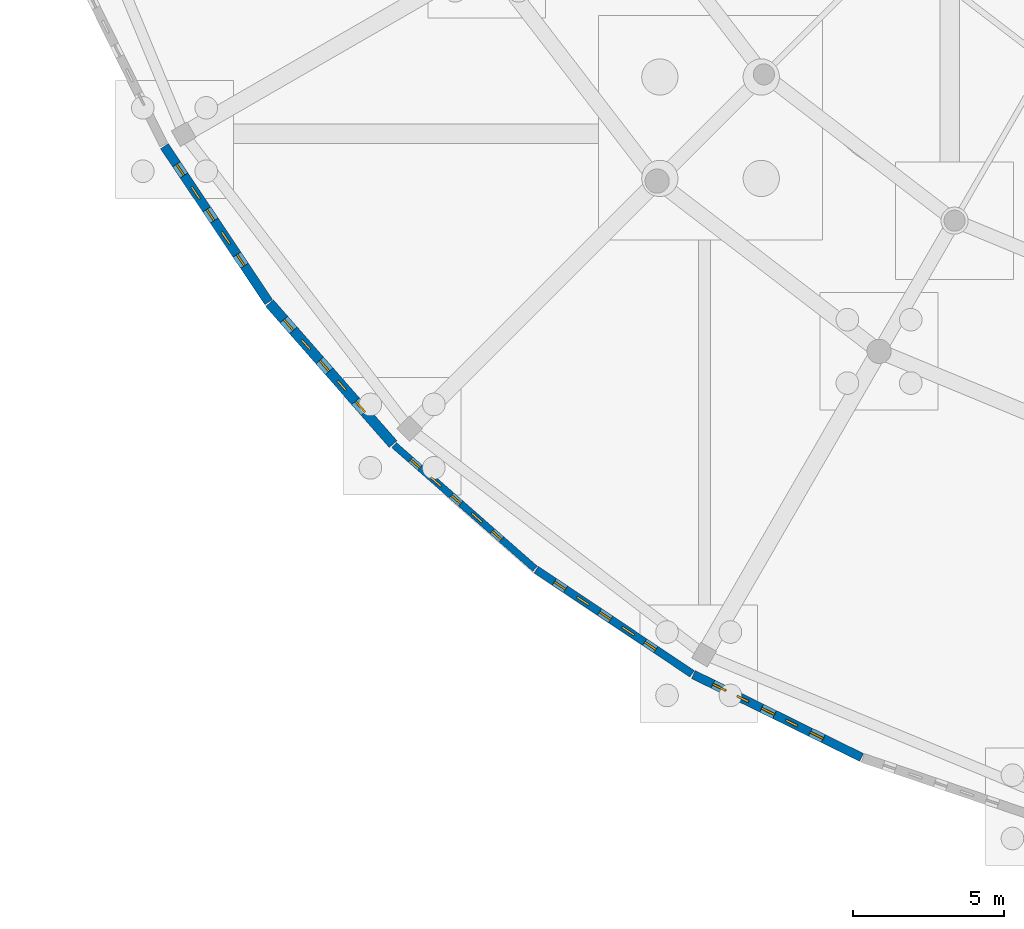
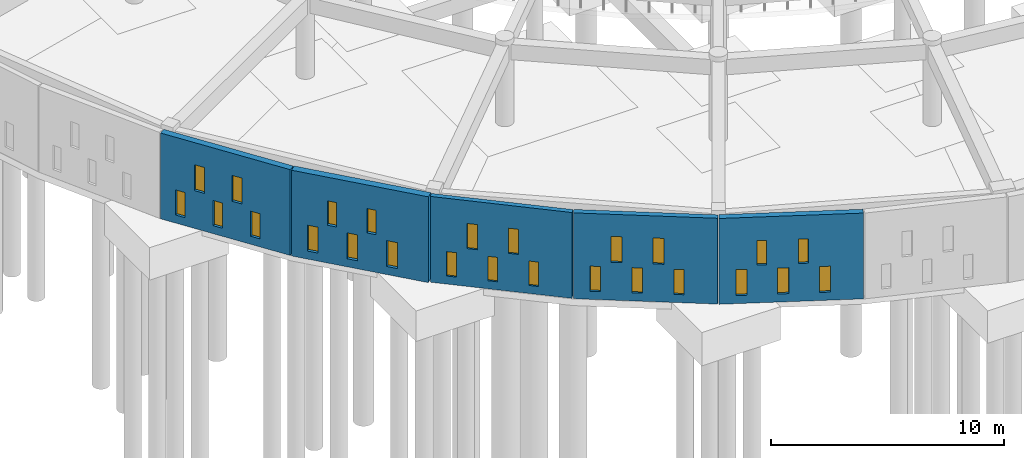
# One storey, part 41 of 84: 25 windows, 5 walls, 25 openings.
"""IFC4 building model written with IfcOpenShell, lengths in metres."""

from ifc_helpers import new_model, si_unit, direction, frame, frame_2d, origin, place, context, subcontext, project, spatial, rectangle, extrude, material, layer, layer_set, type_object, element, fill, save


model = new_model("IFC4")

# Units and contexts
model_context = context("Model", 3, precision=1e-05, world=origin(), true_north=direction((0.0, 1.0)))
body_context = subcontext(model_context, "Body", "Model", "MODEL_VIEW")
ifc_project = project(units=[si_unit("LENGTHUNIT", "METRE"), si_unit("AREAUNIT", "SQUARE_METRE"), si_unit("VOLUMEUNIT", "CUBIC_METRE"), si_unit("PLANEANGLEUNIT", "RADIAN"), si_unit("MASSUNIT", "GRAM", prefix="KILO")], contexts=[model_context])

# Site, building, storey
site_placement = place(None, origin())
site = spatial("IfcSite", under=ifc_project, at=site_placement, CompositionType="ELEMENT")
building_placement = place(site_placement, origin())
building = spatial("IfcBuilding", under=site, at=building_placement, Name="Larkveld Mobility Hub", CompositionType="ELEMENT")
storey_placement = place(building_placement, origin())
storey = spatial("IfcBuildingStorey", under=building, at=storey_placement, Name="L00", CompositionType="ELEMENT", Elevation=0.0)

# Wall, openings, windows
ifc_material_1 = material(Name="Fired clay brick 25 MPa", Category="masonry")
ifc_layer_1 = layer(ifc_material_1, 0.22998046875, Name="Fired clay brick 25 MPa", Category="masonry")
ifc_layer_set_1 = layer_set([ifc_layer_1], Name="Fired clay brick 25 MPa")
wall_type_1 = type_object("IfcWallType", Name="WL-BRK-230", PredefinedType="USERDEFINED", material=ifc_layer_set_1)
wall_1_placement = place(storey_placement, frame((14.18310546875, 14.14892578125, 0.0), z_axis=(0.0, 0.0, 1.0), x_axis=(0.751874993266, -0.65930569124, 0.0)))
wall_1 = element("IfcWall", 1, at=wall_1_placement, inside=storey, type_object=wall_type_1, Name="Drum Woven Open-Bond Brick Chord L00-0029", ObjectType="PERFORATED BRICK SCREEN", PredefinedType="USERDEFINED", context=body_context, shape_type="SweptSolid", body=[
    extrude(rectangle(XDim=6.2109375, YDim=0.22998046875, at=frame_2d((3.10546875, 0.0))), origin(), (0.0, 0.0, 1.0), 4.5),
])
opening_1_placement = place(wall_1_placement, frame((0.719970703125, 0.0, 0.419921875)))
opening_1 = element("IfcOpeningElement", 2, at=opening_1_placement, cuts=wall_1, Name="Opening W01", PredefinedType="OPENING", context=body_context, shape_type="SweptSolid", body=[
    extrude(rectangle(XDim=0.419921875, YDim=1.280029296875, at=frame_2d((0.2099609375, 0.64013671875))), frame((0.0, 0.125, 0.0), z_axis=(0.0, -1.0, 0.0), x_axis=(1.0, 0.0, 0.0)), (0.0, 0.0, 1.0), 0.25),
])
opening_2_placement = place(wall_1_placement, frame((2.52001953125, 0.0, 0.419921875)))
opening_2 = element("IfcOpeningElement", 3, at=opening_2_placement, cuts=wall_1, Name="Opening W01", PredefinedType="OPENING", context=body_context, shape_type="SweptSolid", body=[
    extrude(rectangle(XDim=0.419921875, YDim=1.280029296875, at=frame_2d((0.2099609375, 0.64013671875))), frame((0.0, 0.125, 0.0), z_axis=(0.0, -1.0, 0.0), x_axis=(1.0, 0.0, 0.0)), (0.0, 0.0, 1.0), 0.25),
])
opening_3_placement = place(wall_1_placement, frame((4.320068359375, 0.0, 0.419921875)))
opening_3 = element("IfcOpeningElement", 4, at=opening_3_placement, cuts=wall_1, Name="Opening W01", PredefinedType="OPENING", context=body_context, shape_type="SweptSolid", body=[
    extrude(rectangle(XDim=0.419921875, YDim=1.280029296875, at=frame_2d((0.2099609375, 0.64013671875))), frame((0.0, 0.125, 0.0), z_axis=(0.0, -1.0, 0.0), x_axis=(1.0, 0.0, 0.0)), (0.0, 0.0, 1.0), 0.25),
])
opening_4_placement = place(wall_1_placement, frame((1.6201171875, 0.0, 1.97998046875)))
opening_4 = element("IfcOpeningElement", 5, at=opening_4_placement, cuts=wall_1, Name="Opening W02", PredefinedType="OPENING", context=body_context, shape_type="SweptSolid", body=[
    extrude(rectangle(XDim=0.449951171875, YDim=1.320068359375, at=frame_2d((0.22509765625, 0.66015625))), frame((0.0, 0.125, 0.0), z_axis=(0.0, -1.0, 0.0), x_axis=(1.0, 0.0, 0.0)), (0.0, 0.0, 1.0), 0.25),
])
opening_5_placement = place(wall_1_placement, frame((3.419921875, 0.0, 1.97998046875)))
opening_5 = element("IfcOpeningElement", 6, at=opening_5_placement, cuts=wall_1, Name="Opening W02", PredefinedType="OPENING", context=body_context, shape_type="SweptSolid", body=[
    extrude(rectangle(XDim=0.449951171875, YDim=1.320068359375, at=frame_2d((0.22509765625, 0.66015625))), frame((0.0, 0.125, 0.0), z_axis=(0.0, -1.0, 0.0), x_axis=(1.0, 0.0, 0.0)), (0.0, 0.0, 1.0), 0.25),
])
ifc_material_2 = material(Name="Extruded aluminium ventilation grille", Category="aluminium")
window_type_1 = type_object("IfcWindowType", Name="WN-VENT-01", PartitioningType="SINGLE_PANEL", PredefinedType="WINDOW", material=ifc_material_2)
window_1_placement = place(opening_1_placement, origin())
window_1 = element("IfcWindow", 7, at=window_1_placement, inside=storey, type_object=window_type_1, Name="Window W01 (0141)", OverallHeight=1.280029296875, OverallWidth=0.419921875, PartitioningType="SINGLE_PANEL", PredefinedType="WINDOW", context=body_context, shape_type="SweptSolid", body=[
    extrude(rectangle(XDim=0.419921875, YDim=1.280029296875, at=frame_2d((0.2099609375, 0.64013671875))), frame((0.0, 0.030029296875, 0.0), z_axis=(0.0, -1.0, 0.0), x_axis=(1.0, 0.0, 0.0)), (0.0, 0.0, 1.0), 0.06005859375),
])
fill(opening_1, window_1)
window_2_placement = place(opening_2_placement, origin())
window_2 = element("IfcWindow", 8, at=window_2_placement, inside=storey, type_object=window_type_1, Name="Window W01 (0142)", OverallHeight=1.280029296875, OverallWidth=0.419921875, PartitioningType="SINGLE_PANEL", PredefinedType="WINDOW", context=body_context, shape_type="SweptSolid", body=[
    extrude(rectangle(XDim=0.419921875, YDim=1.280029296875, at=frame_2d((0.2099609375, 0.64013671875))), frame((0.0, 0.030029296875, 0.0), z_axis=(0.0, -1.0, 0.0), x_axis=(1.0, 0.0, 0.0)), (0.0, 0.0, 1.0), 0.06005859375),
])
fill(opening_2, window_2)
window_3_placement = place(opening_3_placement, origin())
window_3 = element("IfcWindow", 9, at=window_3_placement, inside=storey, type_object=window_type_1, Name="Window W01 (0143)", OverallHeight=1.280029296875, OverallWidth=0.419921875, PartitioningType="SINGLE_PANEL", PredefinedType="WINDOW", context=body_context, shape_type="SweptSolid", body=[
    extrude(rectangle(XDim=0.419921875, YDim=1.280029296875, at=frame_2d((0.2099609375, 0.64013671875))), frame((0.0, 0.030029296875, 0.0), z_axis=(0.0, -1.0, 0.0), x_axis=(1.0, 0.0, 0.0)), (0.0, 0.0, 1.0), 0.06005859375),
])
fill(opening_3, window_3)
window_type_2 = type_object("IfcWindowType", Name="WN-VENT-02", PartitioningType="SINGLE_PANEL", PredefinedType="WINDOW", material=ifc_material_2)
window_4_placement = place(opening_4_placement, origin())
window_4 = element("IfcWindow", 10, at=window_4_placement, inside=storey, type_object=window_type_2, Name="Window W02 (0144)", OverallHeight=1.320068359375, OverallWidth=0.449951171875, PartitioningType="SINGLE_PANEL", PredefinedType="WINDOW", context=body_context, shape_type="SweptSolid", body=[
    extrude(rectangle(XDim=0.449951171875, YDim=1.320068359375, at=frame_2d((0.22509765625, 0.66015625))), frame((0.0, 0.030029296875, 0.0), z_axis=(0.0, -1.0, 0.0), x_axis=(1.0, 0.0, 0.0)), (0.0, 0.0, 1.0), 0.06005859375),
])
fill(opening_4, window_4)
window_5_placement = place(opening_5_placement, origin())
window_5 = element("IfcWindow", 11, at=window_5_placement, inside=storey, type_object=window_type_2, Name="Window W02 (0145)", OverallHeight=1.320068359375, OverallWidth=0.449951171875, PartitioningType="SINGLE_PANEL", PredefinedType="WINDOW", context=body_context, shape_type="SweptSolid", body=[
    extrude(rectangle(XDim=0.449951171875, YDim=1.320068359375, at=frame_2d((0.22509765625, 0.66015625))), frame((0.0, 0.030029296875, 0.0), z_axis=(0.0, -1.0, 0.0), x_axis=(1.0, 0.0, 0.0)), (0.0, 0.0, 1.0), 0.06005859375),
])
fill(opening_5, window_5)

ifc_layer_2 = layer(ifc_material_1, 0.260009765625, Name="Fired clay brick 25 MPa", Category="masonry")
ifc_layer_set_2 = layer_set([ifc_layer_2], Name="Fired clay brick 25 MPa")
wall_type_2 = type_object("IfcWallType", Name="WL-BRK-260", PredefinedType="USERDEFINED", material=ifc_layer_set_2)
wall_2_placement = place(storey_placement, frame((18.89111328125, 10.02490234375, 0.0), z_axis=(0.0, 0.0, 1.0), x_axis=(0.831426871608, -0.555634193664, 0.0)))
wall_2 = element("IfcWall", 12, at=wall_2_placement, inside=storey, type_object=wall_type_2, Name="Drum Woven Open-Bond Brick Chord L00-0030", ObjectType="PERFORATED BRICK SCREEN", PredefinedType="USERDEFINED", context=body_context, shape_type="SweptSolid", body=[
    extrude(rectangle(XDim=6.210693359375, YDim=0.260009765625, at=frame_2d((3.10546875, 0.0))), origin(), (0.0, 0.0, 1.0), 4.5),
])
opening_6_placement = place(wall_2_placement, frame((0.719970703125, 0.0, 0.419921875)))
opening_6 = element("IfcOpeningElement", 13, at=opening_6_placement, cuts=wall_2, Name="Opening W02", PredefinedType="OPENING", context=body_context, shape_type="SweptSolid", body=[
    extrude(rectangle(XDim=0.449951171875, YDim=1.320068359375, at=frame_2d((0.22509765625, 0.66015625))), frame((0.0, 0.14013671875, 0.0), z_axis=(0.0, -1.0, 0.0), x_axis=(1.0, 0.0, 0.0)), (0.0, 0.0, 1.0), 0.280029296875),
])
opening_7_placement = place(wall_2_placement, frame((2.52001953125, 0.0, 0.419921875)))
opening_7 = element("IfcOpeningElement", 14, at=opening_7_placement, cuts=wall_2, Name="Opening W02", PredefinedType="OPENING", context=body_context, shape_type="SweptSolid", body=[
    extrude(rectangle(XDim=0.449951171875, YDim=1.320068359375, at=frame_2d((0.22509765625, 0.66015625))), frame((0.0, 0.14013671875, 0.0), z_axis=(0.0, -1.0, 0.0), x_axis=(1.0, 0.0, 0.0)), (0.0, 0.0, 1.0), 0.280029296875),
])
opening_8_placement = place(wall_2_placement, frame((4.320068359375, 0.0, 0.419921875)))
opening_8 = element("IfcOpeningElement", 15, at=opening_8_placement, cuts=wall_2, Name="Opening W02", PredefinedType="OPENING", context=body_context, shape_type="SweptSolid", body=[
    extrude(rectangle(XDim=0.449951171875, YDim=1.320068359375, at=frame_2d((0.22509765625, 0.66015625))), frame((0.0, 0.14013671875, 0.0), z_axis=(0.0, -1.0, 0.0), x_axis=(1.0, 0.0, 0.0)), (0.0, 0.0, 1.0), 0.280029296875),
])
opening_9_placement = place(wall_2_placement, frame((1.6201171875, 0.0, 1.97998046875)))
opening_9 = element("IfcOpeningElement", 16, at=opening_9_placement, cuts=wall_2, Name="Opening W03", PredefinedType="OPENING", context=body_context, shape_type="SweptSolid", body=[
    extrude(rectangle(XDim=0.47998046875, YDim=1.360107421875, at=frame_2d((0.239990234375, 0.68017578125))), frame((0.0, 0.14013671875, 0.0), z_axis=(0.0, -1.0, 0.0), x_axis=(1.0, 0.0, 0.0)), (0.0, 0.0, 1.0), 0.280029296875),
])
opening_10_placement = place(wall_2_placement, frame((3.419921875, 0.0, 1.97998046875)))
opening_10 = element("IfcOpeningElement", 17, at=opening_10_placement, cuts=wall_2, Name="Opening W03", PredefinedType="OPENING", context=body_context, shape_type="SweptSolid", body=[
    extrude(rectangle(XDim=0.47998046875, YDim=1.360107421875, at=frame_2d((0.239990234375, 0.68017578125))), frame((0.0, 0.14013671875, 0.0), z_axis=(0.0, -1.0, 0.0), x_axis=(1.0, 0.0, 0.0)), (0.0, 0.0, 1.0), 0.280029296875),
])
window_6_placement = place(opening_6_placement, origin())
window_6 = element("IfcWindow", 18, at=window_6_placement, inside=storey, type_object=window_type_2, Name="Window W02 (0146)", OverallHeight=1.320068359375, OverallWidth=0.449951171875, PartitioningType="SINGLE_PANEL", PredefinedType="WINDOW", context=body_context, shape_type="SweptSolid", body=[
    extrude(rectangle(XDim=0.449951171875, YDim=1.320068359375, at=frame_2d((0.22509765625, 0.66015625))), frame((0.0, 0.030029296875, 0.0), z_axis=(0.0, -1.0, 0.0), x_axis=(1.0, 0.0, 0.0)), (0.0, 0.0, 1.0), 0.06005859375),
])
fill(opening_6, window_6)
window_7_placement = place(opening_7_placement, origin())
window_7 = element("IfcWindow", 19, at=window_7_placement, inside=storey, type_object=window_type_2, Name="Window W02 (0147)", OverallHeight=1.320068359375, OverallWidth=0.449951171875, PartitioningType="SINGLE_PANEL", PredefinedType="WINDOW", context=body_context, shape_type="SweptSolid", body=[
    extrude(rectangle(XDim=0.449951171875, YDim=1.320068359375, at=frame_2d((0.22509765625, 0.66015625))), frame((0.0, 0.030029296875, 0.0), z_axis=(0.0, -1.0, 0.0), x_axis=(1.0, 0.0, 0.0)), (0.0, 0.0, 1.0), 0.06005859375),
])
fill(opening_7, window_7)
window_8_placement = place(opening_8_placement, origin())
window_8 = element("IfcWindow", 20, at=window_8_placement, inside=storey, type_object=window_type_2, Name="Window W02 (0148)", OverallHeight=1.320068359375, OverallWidth=0.449951171875, PartitioningType="SINGLE_PANEL", PredefinedType="WINDOW", context=body_context, shape_type="SweptSolid", body=[
    extrude(rectangle(XDim=0.449951171875, YDim=1.320068359375, at=frame_2d((0.22509765625, 0.66015625))), frame((0.0, 0.030029296875, 0.0), z_axis=(0.0, -1.0, 0.0), x_axis=(1.0, 0.0, 0.0)), (0.0, 0.0, 1.0), 0.06005859375),
])
fill(opening_8, window_8)
window_type_3 = type_object("IfcWindowType", Name="WN-VENT-03", PartitioningType="SINGLE_PANEL", PredefinedType="WINDOW", material=ifc_material_2)
window_9_placement = place(opening_9_placement, origin())
window_9 = element("IfcWindow", 21, at=window_9_placement, inside=storey, type_object=window_type_3, Name="Window W03 (0149)", OverallHeight=1.360107421875, OverallWidth=0.47998046875, PartitioningType="SINGLE_PANEL", PredefinedType="WINDOW", context=body_context, shape_type="SweptSolid", body=[
    extrude(rectangle(XDim=0.47998046875, YDim=1.360107421875, at=frame_2d((0.239990234375, 0.68017578125))), frame((0.0, 0.030029296875, 0.0), z_axis=(0.0, -1.0, 0.0), x_axis=(1.0, 0.0, 0.0)), (0.0, 0.0, 1.0), 0.06005859375),
])
fill(opening_9, window_9)
window_10_placement = place(opening_10_placement, origin())
window_10 = element("IfcWindow", 22, at=window_10_placement, inside=storey, type_object=window_type_3, Name="Window W03 (0150)", OverallHeight=1.360107421875, OverallWidth=0.47998046875, PartitioningType="SINGLE_PANEL", PredefinedType="WINDOW", context=body_context, shape_type="SweptSolid", body=[
    extrude(rectangle(XDim=0.47998046875, YDim=1.360107421875, at=frame_2d((0.239990234375, 0.68017578125))), frame((0.0, 0.030029296875, 0.0), z_axis=(0.0, -1.0, 0.0), x_axis=(1.0, 0.0, 0.0)), (0.0, 0.0, 1.0), 0.06005859375),
])
fill(opening_10, window_10)

ifc_layer_3 = layer(ifc_material_1, 0.2900390625, Name="Fired clay brick 25 MPa", Category="masonry")
ifc_layer_set_3 = layer_set([ifc_layer_3], Name="Fired clay brick 25 MPa")
wall_type_3 = type_object("IfcWallType", Name="WL-BRK-290", PredefinedType="USERDEFINED", material=ifc_layer_set_3)
wall_3_placement = place(storey_placement, frame((24.096923828125, 6.550048828125, 0.0), z_axis=(0.0, 0.0, 1.0), x_axis=(0.896858908126, -0.442316740488, 0.0)))
wall_3 = element("IfcWall", 23, at=wall_3_placement, inside=storey, type_object=wall_type_3, Name="Drum Woven Open-Bond Brick Chord L00-0031", ObjectType="PERFORATED BRICK SCREEN", PredefinedType="USERDEFINED", context=body_context, shape_type="SweptSolid", body=[
    extrude(rectangle(XDim=6.210693359375, YDim=0.2900390625, at=frame_2d((3.10546875, 0.0))), origin(), (0.0, 0.0, 1.0), 4.5),
])
opening_11_placement = place(wall_3_placement, frame((0.719970703125, 0.0, 0.419921875)))
opening_11 = element("IfcOpeningElement", 24, at=opening_11_placement, cuts=wall_3, Name="Opening W03", PredefinedType="OPENING", context=body_context, shape_type="SweptSolid", body=[
    extrude(rectangle(XDim=0.47998046875, YDim=1.360107421875, at=frame_2d((0.239990234375, 0.68017578125))), frame((0.0, 0.155029296875, 0.0), z_axis=(0.0, -1.0, 0.0), x_axis=(1.0, 0.0, 0.0)), (0.0, 0.0, 1.0), 0.31005859375),
])
opening_12_placement = place(wall_3_placement, frame((2.52001953125, 0.0, 0.419921875)))
opening_12 = element("IfcOpeningElement", 25, at=opening_12_placement, cuts=wall_3, Name="Opening W03", PredefinedType="OPENING", context=body_context, shape_type="SweptSolid", body=[
    extrude(rectangle(XDim=0.47998046875, YDim=1.360107421875, at=frame_2d((0.239990234375, 0.68017578125))), frame((0.0, 0.155029296875, 0.0), z_axis=(0.0, -1.0, 0.0), x_axis=(1.0, 0.0, 0.0)), (0.0, 0.0, 1.0), 0.31005859375),
])
opening_13_placement = place(wall_3_placement, frame((4.320068359375, 0.0, 0.419921875)))
opening_13 = element("IfcOpeningElement", 26, at=opening_13_placement, cuts=wall_3, Name="Opening W03", PredefinedType="OPENING", context=body_context, shape_type="SweptSolid", body=[
    extrude(rectangle(XDim=0.47998046875, YDim=1.360107421875, at=frame_2d((0.239990234375, 0.68017578125))), frame((0.0, 0.155029296875, 0.0), z_axis=(0.0, -1.0, 0.0), x_axis=(1.0, 0.0, 0.0)), (0.0, 0.0, 1.0), 0.31005859375),
])
opening_14_placement = place(wall_3_placement, frame((1.6201171875, 0.0, 1.97998046875)))
opening_14 = element("IfcOpeningElement", 27, at=opening_14_placement, cuts=wall_3, Name="Opening W01", PredefinedType="OPENING", context=body_context, shape_type="SweptSolid", body=[
    extrude(rectangle(XDim=0.419921875, YDim=1.280029296875, at=frame_2d((0.2099609375, 0.64013671875))), frame((0.0, 0.155029296875, 0.0), z_axis=(0.0, -1.0, 0.0), x_axis=(1.0, 0.0, 0.0)), (0.0, 0.0, 1.0), 0.31005859375),
])
opening_15_placement = place(wall_3_placement, frame((3.419921875, 0.0, 1.97998046875)))
opening_15 = element("IfcOpeningElement", 28, at=opening_15_placement, cuts=wall_3, Name="Opening W01", PredefinedType="OPENING", context=body_context, shape_type="SweptSolid", body=[
    extrude(rectangle(XDim=0.419921875, YDim=1.280029296875, at=frame_2d((0.2099609375, 0.64013671875))), frame((0.0, 0.155029296875, 0.0), z_axis=(0.0, -1.0, 0.0), x_axis=(1.0, 0.0, 0.0)), (0.0, 0.0, 1.0), 0.31005859375),
])
window_11_placement = place(opening_14_placement, origin())
window_11 = element("IfcWindow", 29, at=window_11_placement, inside=storey, type_object=window_type_1, Name="Window W01 (0154)", OverallHeight=1.280029296875, OverallWidth=0.419921875, PartitioningType="SINGLE_PANEL", PredefinedType="WINDOW", context=body_context, shape_type="SweptSolid", body=[
    extrude(rectangle(XDim=0.419921875, YDim=1.280029296875, at=frame_2d((0.2099609375, 0.64013671875))), frame((0.0, 0.030029296875, 0.0), z_axis=(0.0, -1.0, 0.0), x_axis=(1.0, 0.0, 0.0)), (0.0, 0.0, 1.0), 0.06005859375),
])
fill(opening_14, window_11)
window_12_placement = place(opening_15_placement, origin())
window_12 = element("IfcWindow", 30, at=window_12_placement, inside=storey, type_object=window_type_1, Name="Window W01 (0155)", OverallHeight=1.280029296875, OverallWidth=0.419921875, PartitioningType="SINGLE_PANEL", PredefinedType="WINDOW", context=body_context, shape_type="SweptSolid", body=[
    extrude(rectangle(XDim=0.419921875, YDim=1.280029296875, at=frame_2d((0.2099609375, 0.64013671875))), frame((0.0, 0.030029296875, 0.0), z_axis=(0.0, -1.0, 0.0), x_axis=(1.0, 0.0, 0.0)), (0.0, 0.0, 1.0), 0.06005859375),
])
fill(opening_15, window_12)
window_13_placement = place(opening_11_placement, origin())
window_13 = element("IfcWindow", 31, at=window_13_placement, inside=storey, type_object=window_type_3, Name="Window W03 (0151)", OverallHeight=1.360107421875, OverallWidth=0.47998046875, PartitioningType="SINGLE_PANEL", PredefinedType="WINDOW", context=body_context, shape_type="SweptSolid", body=[
    extrude(rectangle(XDim=0.47998046875, YDim=1.360107421875, at=frame_2d((0.239990234375, 0.68017578125))), frame((0.0, 0.030029296875, 0.0), z_axis=(0.0, -1.0, 0.0), x_axis=(1.0, 0.0, 0.0)), (0.0, 0.0, 1.0), 0.06005859375),
])
fill(opening_11, window_13)
window_14_placement = place(opening_12_placement, origin())
window_14 = element("IfcWindow", 32, at=window_14_placement, inside=storey, type_object=window_type_3, Name="Window W03 (0152)", OverallHeight=1.360107421875, OverallWidth=0.47998046875, PartitioningType="SINGLE_PANEL", PredefinedType="WINDOW", context=body_context, shape_type="SweptSolid", body=[
    extrude(rectangle(XDim=0.47998046875, YDim=1.360107421875, at=frame_2d((0.239990234375, 0.68017578125))), frame((0.0, 0.030029296875, 0.0), z_axis=(0.0, -1.0, 0.0), x_axis=(1.0, 0.0, 0.0)), (0.0, 0.0, 1.0), 0.06005859375),
])
fill(opening_12, window_14)
window_15_placement = place(opening_13_placement, origin())
window_15 = element("IfcWindow", 33, at=window_15_placement, inside=storey, type_object=window_type_3, Name="Window W03 (0153)", OverallHeight=1.360107421875, OverallWidth=0.47998046875, PartitioningType="SINGLE_PANEL", PredefinedType="WINDOW", context=body_context, shape_type="SweptSolid", body=[
    extrude(rectangle(XDim=0.47998046875, YDim=1.360107421875, at=frame_2d((0.239990234375, 0.68017578125))), frame((0.0, 0.030029296875, 0.0), z_axis=(0.0, -1.0, 0.0), x_axis=(1.0, 0.0, 0.0)), (0.0, 0.0, 1.0), 0.06005859375),
])
fill(opening_13, window_15)

ifc_layer_4 = layer(ifc_material_1, 0.31005859375, Name="Fired clay brick 25 MPa", Category="masonry")
ifc_layer_set_4 = layer_set([ifc_layer_4], Name="Fired clay brick 25 MPa")
wall_type_4 = type_object("IfcWallType", Name="WL-BRK-310", PredefinedType="USERDEFINED", material=ifc_layer_set_4)
wall_4_placement = place(storey_placement, frame((6.573974609375, 24.054931640625, 0.0), z_axis=(0.0, 0.0, 1.0), x_axis=(0.555634193664, -0.831426871608, 0.0)))
wall_4 = element("IfcWall", 34, at=wall_4_placement, inside=storey, type_object=wall_type_4, Name="Drum Woven Open-Bond Brick Chord L00-0027", ObjectType="PERFORATED BRICK SCREEN", PredefinedType="USERDEFINED", context=body_context, shape_type="SweptSolid", body=[
    extrude(rectangle(XDim=6.210693359375, YDim=0.31005859375, at=frame_2d((3.10546875, 0.0))), origin(), (0.0, 0.0, 1.0), 4.5),
])
opening_16_placement = place(wall_4_placement, frame((0.719970703125, 0.0, 0.419921875)))
opening_16 = element("IfcOpeningElement", 35, at=opening_16_placement, cuts=wall_4, Name="Opening W02", PredefinedType="OPENING", context=body_context, shape_type="SweptSolid", body=[
    extrude(rectangle(XDim=0.449951171875, YDim=1.320068359375, at=frame_2d((0.22509765625, 0.66015625))), frame((0.0, 0.1650390625, 0.0), z_axis=(0.0, -1.0, 0.0), x_axis=(1.0, 0.0, 0.0)), (0.0, 0.0, 1.0), 0.330078125),
])
opening_17_placement = place(wall_4_placement, frame((2.52001953125, 0.0, 0.419921875)))
opening_17 = element("IfcOpeningElement", 36, at=opening_17_placement, cuts=wall_4, Name="Opening W02", PredefinedType="OPENING", context=body_context, shape_type="SweptSolid", body=[
    extrude(rectangle(XDim=0.449951171875, YDim=1.320068359375, at=frame_2d((0.22509765625, 0.66015625))), frame((0.0, 0.1650390625, 0.0), z_axis=(0.0, -1.0, 0.0), x_axis=(1.0, 0.0, 0.0)), (0.0, 0.0, 1.0), 0.330078125),
])
opening_18_placement = place(wall_4_placement, frame((4.320068359375, 0.0, 0.419921875)))
opening_18 = element("IfcOpeningElement", 37, at=opening_18_placement, cuts=wall_4, Name="Opening W02", PredefinedType="OPENING", context=body_context, shape_type="SweptSolid", body=[
    extrude(rectangle(XDim=0.449951171875, YDim=1.320068359375, at=frame_2d((0.22509765625, 0.66015625))), frame((0.0, 0.1650390625, 0.0), z_axis=(0.0, -1.0, 0.0), x_axis=(1.0, 0.0, 0.0)), (0.0, 0.0, 1.0), 0.330078125),
])
opening_19_placement = place(wall_4_placement, frame((1.6201171875, 0.0, 1.97998046875)))
opening_19 = element("IfcOpeningElement", 38, at=opening_19_placement, cuts=wall_4, Name="Opening W03", PredefinedType="OPENING", context=body_context, shape_type="SweptSolid", body=[
    extrude(rectangle(XDim=0.47998046875, YDim=1.360107421875, at=frame_2d((0.239990234375, 0.68017578125))), frame((0.0, 0.1650390625, 0.0), z_axis=(0.0, -1.0, 0.0), x_axis=(1.0, 0.0, 0.0)), (0.0, 0.0, 1.0), 0.330078125),
])
opening_20_placement = place(wall_4_placement, frame((3.419921875, 0.0, 1.97998046875)))
opening_20 = element("IfcOpeningElement", 39, at=opening_20_placement, cuts=wall_4, Name="Opening W03", PredefinedType="OPENING", context=body_context, shape_type="SweptSolid", body=[
    extrude(rectangle(XDim=0.47998046875, YDim=1.360107421875, at=frame_2d((0.239990234375, 0.68017578125))), frame((0.0, 0.1650390625, 0.0), z_axis=(0.0, -1.0, 0.0), x_axis=(1.0, 0.0, 0.0)), (0.0, 0.0, 1.0), 0.330078125),
])
window_16_placement = place(opening_16_placement, origin())
window_16 = element("IfcWindow", 40, at=window_16_placement, inside=storey, type_object=window_type_2, Name="Window W02 (0131)", OverallHeight=1.320068359375, OverallWidth=0.449951171875, PartitioningType="SINGLE_PANEL", PredefinedType="WINDOW", context=body_context, shape_type="SweptSolid", body=[
    extrude(rectangle(XDim=0.449951171875, YDim=1.320068359375, at=frame_2d((0.22509765625, 0.66015625))), frame((0.0, 0.030029296875, 0.0), z_axis=(0.0, -1.0, 0.0), x_axis=(1.0, 0.0, 0.0)), (0.0, 0.0, 1.0), 0.06005859375),
])
fill(opening_16, window_16)
window_17_placement = place(opening_17_placement, origin())
window_17 = element("IfcWindow", 41, at=window_17_placement, inside=storey, type_object=window_type_2, Name="Window W02 (0132)", OverallHeight=1.320068359375, OverallWidth=0.449951171875, PartitioningType="SINGLE_PANEL", PredefinedType="WINDOW", context=body_context, shape_type="SweptSolid", body=[
    extrude(rectangle(XDim=0.449951171875, YDim=1.320068359375, at=frame_2d((0.22509765625, 0.66015625))), frame((0.0, 0.030029296875, 0.0), z_axis=(0.0, -1.0, 0.0), x_axis=(1.0, 0.0, 0.0)), (0.0, 0.0, 1.0), 0.06005859375),
])
fill(opening_17, window_17)
window_18_placement = place(opening_18_placement, origin())
window_18 = element("IfcWindow", 42, at=window_18_placement, inside=storey, type_object=window_type_2, Name="Window W02 (0133)", OverallHeight=1.320068359375, OverallWidth=0.449951171875, PartitioningType="SINGLE_PANEL", PredefinedType="WINDOW", context=body_context, shape_type="SweptSolid", body=[
    extrude(rectangle(XDim=0.449951171875, YDim=1.320068359375, at=frame_2d((0.22509765625, 0.66015625))), frame((0.0, 0.030029296875, 0.0), z_axis=(0.0, -1.0, 0.0), x_axis=(1.0, 0.0, 0.0)), (0.0, 0.0, 1.0), 0.06005859375),
])
fill(opening_18, window_18)
window_19_placement = place(opening_19_placement, origin())
window_19 = element("IfcWindow", 43, at=window_19_placement, inside=storey, type_object=window_type_3, Name="Window W03 (0134)", OverallHeight=1.360107421875, OverallWidth=0.47998046875, PartitioningType="SINGLE_PANEL", PredefinedType="WINDOW", context=body_context, shape_type="SweptSolid", body=[
    extrude(rectangle(XDim=0.47998046875, YDim=1.360107421875, at=frame_2d((0.239990234375, 0.68017578125))), frame((0.0, 0.030029296875, 0.0), z_axis=(0.0, -1.0, 0.0), x_axis=(1.0, 0.0, 0.0)), (0.0, 0.0, 1.0), 0.06005859375),
])
fill(opening_19, window_19)
window_20_placement = place(opening_20_placement, origin())
window_20 = element("IfcWindow", 44, at=window_20_placement, inside=storey, type_object=window_type_3, Name="Window W03 (0135)", OverallHeight=1.360107421875, OverallWidth=0.47998046875, PartitioningType="SINGLE_PANEL", PredefinedType="WINDOW", context=body_context, shape_type="SweptSolid", body=[
    extrude(rectangle(XDim=0.47998046875, YDim=1.360107421875, at=frame_2d((0.239990234375, 0.68017578125))), frame((0.0, 0.030029296875, 0.0), z_axis=(0.0, -1.0, 0.0), x_axis=(1.0, 0.0, 0.0)), (0.0, 0.0, 1.0), 0.06005859375),
])
fill(opening_20, window_20)

ifc_layer_5 = layer(ifc_material_1, 0.340087890625, Name="Fired clay brick 25 MPa", Category="masonry")
ifc_layer_set_5 = layer_set([ifc_layer_5], Name="Fired clay brick 25 MPa")
wall_type_5 = type_object("IfcWallType", Name="WL-BRK-340", PredefinedType="USERDEFINED", material=ifc_layer_set_5)
wall_5_placement = place(storey_placement, frame((10.053955078125, 18.85302734375, 0.0), z_axis=(0.0, 0.0, 1.0), x_axis=(0.65930569124, -0.751874993266, 0.0)))
wall_5 = element("IfcWall", 45, at=wall_5_placement, inside=storey, type_object=wall_type_5, Name="Drum Woven Open-Bond Brick Chord L00-0028", ObjectType="PERFORATED BRICK SCREEN", PredefinedType="USERDEFINED", context=body_context, shape_type="SweptSolid", body=[
    extrude(rectangle(XDim=6.2109375, YDim=0.340087890625, at=frame_2d((3.10546875, 0.0))), origin(), (0.0, 0.0, 1.0), 4.5),
])
opening_21_placement = place(wall_5_placement, frame((0.719970703125, 0.0, 0.419921875)))
opening_21 = element("IfcOpeningElement", 46, at=opening_21_placement, cuts=wall_5, Name="Opening W03", PredefinedType="OPENING", context=body_context, shape_type="SweptSolid", body=[
    extrude(rectangle(XDim=0.47998046875, YDim=1.360107421875, at=frame_2d((0.239990234375, 0.68017578125))), frame((0.0, 0.18017578125, 0.0), z_axis=(0.0, -1.0, 0.0), x_axis=(1.0, 0.0, 0.0)), (0.0, 0.0, 1.0), 0.360107421875),
])
opening_22_placement = place(wall_5_placement, frame((2.52001953125, 0.0, 0.419921875)))
opening_22 = element("IfcOpeningElement", 47, at=opening_22_placement, cuts=wall_5, Name="Opening W03", PredefinedType="OPENING", context=body_context, shape_type="SweptSolid", body=[
    extrude(rectangle(XDim=0.47998046875, YDim=1.360107421875, at=frame_2d((0.239990234375, 0.68017578125))), frame((0.0, 0.18017578125, 0.0), z_axis=(0.0, -1.0, 0.0), x_axis=(1.0, 0.0, 0.0)), (0.0, 0.0, 1.0), 0.360107421875),
])
opening_23_placement = place(wall_5_placement, frame((4.320068359375, 0.0, 0.419921875)))
opening_23 = element("IfcOpeningElement", 48, at=opening_23_placement, cuts=wall_5, Name="Opening W03", PredefinedType="OPENING", context=body_context, shape_type="SweptSolid", body=[
    extrude(rectangle(XDim=0.47998046875, YDim=1.360107421875, at=frame_2d((0.239990234375, 0.68017578125))), frame((0.0, 0.18017578125, 0.0), z_axis=(0.0, -1.0, 0.0), x_axis=(1.0, 0.0, 0.0)), (0.0, 0.0, 1.0), 0.360107421875),
])
opening_24_placement = place(wall_5_placement, frame((1.6201171875, 0.0, 1.97998046875)))
opening_24 = element("IfcOpeningElement", 49, at=opening_24_placement, cuts=wall_5, Name="Opening W01", PredefinedType="OPENING", context=body_context, shape_type="SweptSolid", body=[
    extrude(rectangle(XDim=0.419921875, YDim=1.280029296875, at=frame_2d((0.2099609375, 0.64013671875))), frame((0.0, 0.18017578125, 0.0), z_axis=(0.0, -1.0, 0.0), x_axis=(1.0, 0.0, 0.0)), (0.0, 0.0, 1.0), 0.360107421875),
])
opening_25_placement = place(wall_5_placement, frame((3.419921875, 0.0, 1.97998046875)))
opening_25 = element("IfcOpeningElement", 50, at=opening_25_placement, cuts=wall_5, Name="Opening W01", PredefinedType="OPENING", context=body_context, shape_type="SweptSolid", body=[
    extrude(rectangle(XDim=0.419921875, YDim=1.280029296875, at=frame_2d((0.2099609375, 0.64013671875))), frame((0.0, 0.18017578125, 0.0), z_axis=(0.0, -1.0, 0.0), x_axis=(1.0, 0.0, 0.0)), (0.0, 0.0, 1.0), 0.360107421875),
])
window_21_placement = place(opening_24_placement, origin())
window_21 = element("IfcWindow", 51, at=window_21_placement, inside=storey, type_object=window_type_1, Name="Window W01 (0139)", OverallHeight=1.280029296875, OverallWidth=0.419921875, PartitioningType="SINGLE_PANEL", PredefinedType="WINDOW", context=body_context, shape_type="SweptSolid", body=[
    extrude(rectangle(XDim=0.419921875, YDim=1.280029296875, at=frame_2d((0.2099609375, 0.64013671875))), frame((0.0, 0.030029296875, 0.0), z_axis=(0.0, -1.0, 0.0), x_axis=(1.0, 0.0, 0.0)), (0.0, 0.0, 1.0), 0.06005859375),
])
fill(opening_24, window_21)
window_22_placement = place(opening_25_placement, origin())
window_22 = element("IfcWindow", 52, at=window_22_placement, inside=storey, type_object=window_type_1, Name="Window W01 (0140)", OverallHeight=1.280029296875, OverallWidth=0.419921875, PartitioningType="SINGLE_PANEL", PredefinedType="WINDOW", context=body_context, shape_type="SweptSolid", body=[
    extrude(rectangle(XDim=0.419921875, YDim=1.280029296875, at=frame_2d((0.2099609375, 0.64013671875))), frame((0.0, 0.030029296875, 0.0), z_axis=(0.0, -1.0, 0.0), x_axis=(1.0, 0.0, 0.0)), (0.0, 0.0, 1.0), 0.06005859375),
])
fill(opening_25, window_22)
window_23_placement = place(opening_21_placement, origin())
window_23 = element("IfcWindow", 53, at=window_23_placement, inside=storey, type_object=window_type_3, Name="Window W03 (0136)", OverallHeight=1.360107421875, OverallWidth=0.47998046875, PartitioningType="SINGLE_PANEL", PredefinedType="WINDOW", context=body_context, shape_type="SweptSolid", body=[
    extrude(rectangle(XDim=0.47998046875, YDim=1.360107421875, at=frame_2d((0.239990234375, 0.68017578125))), frame((0.0, 0.030029296875, 0.0), z_axis=(0.0, -1.0, 0.0), x_axis=(1.0, 0.0, 0.0)), (0.0, 0.0, 1.0), 0.06005859375),
])
fill(opening_21, window_23)
window_24_placement = place(opening_22_placement, origin())
window_24 = element("IfcWindow", 54, at=window_24_placement, inside=storey, type_object=window_type_3, Name="Window W03 (0137)", OverallHeight=1.360107421875, OverallWidth=0.47998046875, PartitioningType="SINGLE_PANEL", PredefinedType="WINDOW", context=body_context, shape_type="SweptSolid", body=[
    extrude(rectangle(XDim=0.47998046875, YDim=1.360107421875, at=frame_2d((0.239990234375, 0.68017578125))), frame((0.0, 0.030029296875, 0.0), z_axis=(0.0, -1.0, 0.0), x_axis=(1.0, 0.0, 0.0)), (0.0, 0.0, 1.0), 0.06005859375),
])
fill(opening_22, window_24)
window_25_placement = place(opening_23_placement, origin())
window_25 = element("IfcWindow", 55, at=window_25_placement, inside=storey, type_object=window_type_3, Name="Window W03 (0138)", OverallHeight=1.360107421875, OverallWidth=0.47998046875, PartitioningType="SINGLE_PANEL", PredefinedType="WINDOW", context=body_context, shape_type="SweptSolid", body=[
    extrude(rectangle(XDim=0.47998046875, YDim=1.360107421875, at=frame_2d((0.239990234375, 0.68017578125))), frame((0.0, 0.030029296875, 0.0), z_axis=(0.0, -1.0, 0.0), x_axis=(1.0, 0.0, 0.0)), (0.0, 0.0, 1.0), 0.06005859375),
])
fill(opening_23, window_25)

save(model, "model.ifc")
